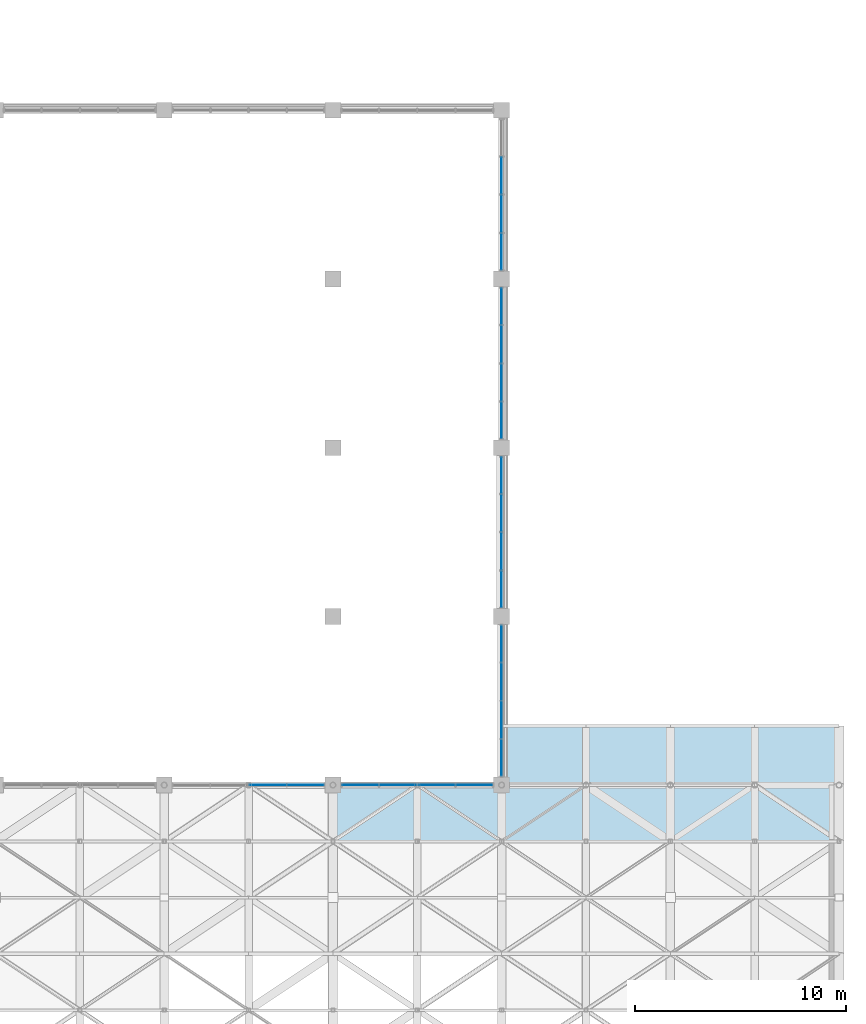
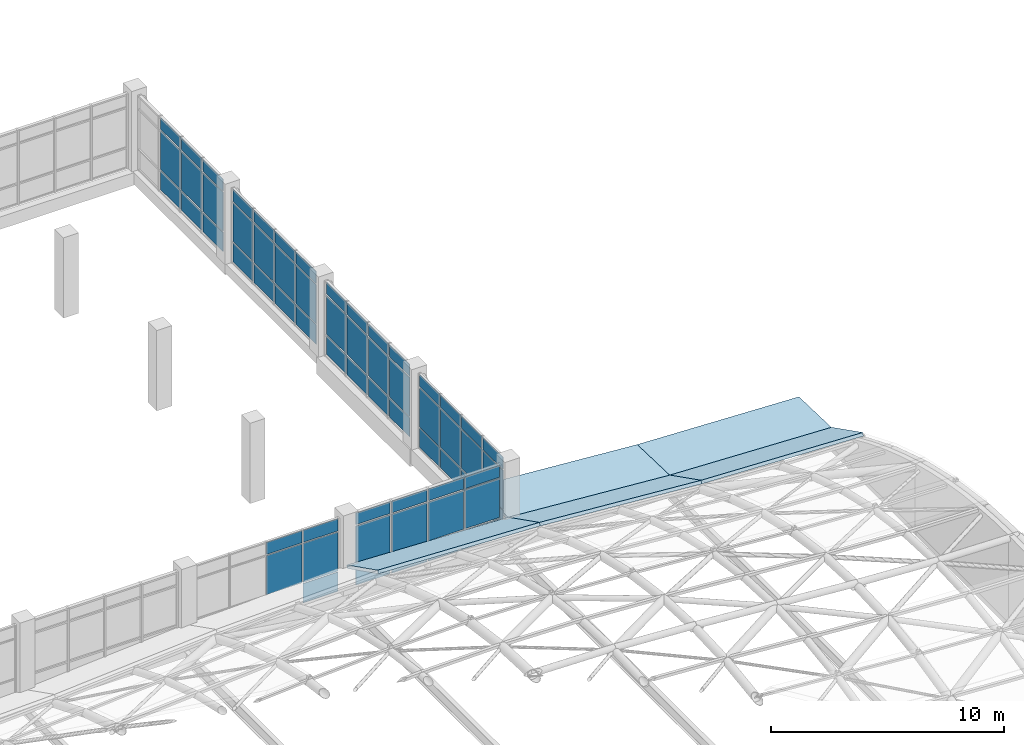
# One storey, part 59 of 72: 62 plates, 5 slabs, 6 elements without a shape of their own.
"""IFC4 building model written with IfcOpenShell, lengths in metres."""

from ifc_helpers import new_model, si_unit, direction, frame, origin, origin_2d, place, context, subcontext, project, spatial, polyline, rectangle, outline, extrude, material, layer, layer_set, type_object, element, aggregate, save


model = new_model("IFC4")

# Units and contexts
model_context = context("Model", 3, precision=1e-05, world=origin(), true_north=direction((0.0, 1.0)))
body_context = subcontext(model_context, "Body", "Model", "MODEL_VIEW")
ifc_project = project(units=[si_unit("LENGTHUNIT", "METRE"), si_unit("AREAUNIT", "SQUARE_METRE"), si_unit("VOLUMEUNIT", "CUBIC_METRE"), si_unit("PLANEANGLEUNIT", "RADIAN"), si_unit("MASSUNIT", "GRAM", prefix="KILO")], contexts=[model_context])

# Site, building, storey
site_placement = place(None, origin())
site = spatial("IfcSite", under=ifc_project, at=site_placement, CompositionType="ELEMENT")
building_placement = place(site_placement, origin())
building = spatial("IfcBuilding", under=site, at=building_placement, Name="Tenunan Teduh Sports Hall", CompositionType="ELEMENT")
storey_placement = place(building_placement, frame((0.0, 0.0, 15.0)))
storey = spatial("IfcBuildingStorey", under=building, at=storey_placement, Name="L03", CompositionType="ELEMENT", Elevation=15.0)

# Curtain wall, plates
ifc_material_1 = material(Name="Anodised aluminium", Category="aluminium")
curtain_wall_type_1 = type_object("IfcCurtainWallType", Name="CW-UNIT-2", PredefinedType="NOTDEFINED", material=ifc_material_1)
curtain_wall_1_placement = place(storey_placement, origin())
curtain_wall_1 = element("IfcCurtainWall", 1, at=curtain_wall_1_placement, inside=storey, type_object=curtain_wall_type_1, Name="CW-CWM-200-L03-148", PredefinedType="NOTDEFINED")
ifc_material_2 = material(Name="Low-E laminated double glazing", Category="glass")
ifc_layer_1 = layer(ifc_material_2, 0.028076171875)
ifc_layer_set_1 = layer_set([ifc_layer_1], Name="Low-E laminated double glazing")
plate_type_1 = type_object("IfcPlateType", Name="CWP-GLZ-28", PredefinedType="CURTAIN_PANEL", material=ifc_layer_set_1)
plate_1_placement = place(storey_placement, frame((154.0, 55.298828125, 1.134765625), z_axis=(0.0, 0.0, 1.0), x_axis=(0.0, 1.0, 0.0)))
plate_1 = element("IfcPlate", 2, at=plate_1_placement, type_object=plate_type_1, Name="CW-02 panel 1.2", PredefinedType="CURTAIN_PANEL", context=body_context, shape_type="SweptSolid", body=[
    extrude(rectangle(XDim=1.70751953125, YDim=0.028076171875, at=origin_2d()), origin(), (0.0, 0.0, 1.0), 2.030029296875),
])
plate_2_placement = place(storey_placement, frame((154.0, 55.298828125, 3.23486328125), z_axis=(0.0, 0.0, 1.0), x_axis=(0.0, 1.0, 0.0)))
plate_2 = element("IfcPlate", 3, at=plate_2_placement, type_object=plate_type_1, Name="CW-02 panel 1.3", PredefinedType="CURTAIN_PANEL", context=body_context, shape_type="SweptSolid", body=[
    extrude(rectangle(XDim=1.70751953125, YDim=0.028076171875, at=origin_2d()), origin(), (0.0, 0.0, 1.0), 0.614990234375),
])
plate_3_placement = place(storey_placement, frame((154.0, 57.09375, 1.134765625), z_axis=(0.0, 0.0, 1.0), x_axis=(0.0, 1.0, 0.0)))
plate_3 = element("IfcPlate", 4, at=plate_3_placement, type_object=plate_type_1, Name="CW-02 panel 2.2", PredefinedType="CURTAIN_PANEL", context=body_context, shape_type="SweptSolid", body=[
    extrude(rectangle(XDim=1.742431640625, YDim=0.028076171875, at=origin_2d()), origin(), (0.0, 0.0, 1.0), 2.030029296875),
])
plate_4_placement = place(storey_placement, frame((154.0, 57.09375, 3.23486328125), z_axis=(0.0, 0.0, 1.0), x_axis=(0.0, 1.0, 0.0)))
plate_4 = element("IfcPlate", 5, at=plate_4_placement, type_object=plate_type_1, Name="CW-02 panel 2.3", PredefinedType="CURTAIN_PANEL", context=body_context, shape_type="SweptSolid", body=[
    extrude(rectangle(XDim=1.742431640625, YDim=0.028076171875, at=origin_2d()), origin(), (0.0, 0.0, 1.0), 0.614990234375),
])
plate_5_placement = place(storey_placement, frame((154.0, 58.90625, 1.134765625), z_axis=(0.0, 0.0, 1.0), x_axis=(0.0, 1.0, 0.0)))
plate_5 = element("IfcPlate", 6, at=plate_5_placement, type_object=plate_type_1, Name="CW-02 panel 3.2", PredefinedType="CURTAIN_PANEL", context=body_context, shape_type="SweptSolid", body=[
    extrude(rectangle(XDim=1.742431640625, YDim=0.028076171875, at=origin_2d()), origin(), (0.0, 0.0, 1.0), 2.030029296875),
])
plate_6_placement = place(storey_placement, frame((154.0, 58.90625, 3.23486328125), z_axis=(0.0, 0.0, 1.0), x_axis=(0.0, 1.0, 0.0)))
plate_6 = element("IfcPlate", 7, at=plate_6_placement, type_object=plate_type_1, Name="CW-02 panel 3.3", PredefinedType="CURTAIN_PANEL", context=body_context, shape_type="SweptSolid", body=[
    extrude(rectangle(XDim=1.742431640625, YDim=0.028076171875, at=origin_2d()), origin(), (0.0, 0.0, 1.0), 0.614990234375),
])
plate_7_placement = place(storey_placement, frame((154.0, 60.701171875, 1.134765625), z_axis=(0.0, 0.0, 1.0), x_axis=(0.0, 1.0, 0.0)))
plate_7 = element("IfcPlate", 8, at=plate_7_placement, type_object=plate_type_1, Name="CW-02 panel 4.2", PredefinedType="CURTAIN_PANEL", context=body_context, shape_type="SweptSolid", body=[
    extrude(rectangle(XDim=1.70751953125, YDim=0.028076171875, at=origin_2d()), origin(), (0.0, 0.0, 1.0), 2.030029296875),
])
plate_8_placement = place(storey_placement, frame((154.0, 60.701171875, 3.23486328125), z_axis=(0.0, 0.0, 1.0), x_axis=(0.0, 1.0, 0.0)))
plate_8 = element("IfcPlate", 9, at=plate_8_placement, type_object=plate_type_1, Name="CW-02 panel 4.3", PredefinedType="CURTAIN_PANEL", context=body_context, shape_type="SweptSolid", body=[
    extrude(rectangle(XDim=1.70751953125, YDim=0.028076171875, at=origin_2d()), origin(), (0.0, 0.0, 1.0), 0.614990234375),
])

curtain_wall_2_placement = place(storey_placement, origin())
curtain_wall_2 = element("IfcCurtainWall", 10, at=curtain_wall_2_placement, inside=storey, type_object=curtain_wall_type_1, Name="CW-CWM-175-L03-150", PredefinedType="NOTDEFINED")
plate_9_placement = place(storey_placement, frame((154.0, 63.297607421875, 1.13232421875), z_axis=(0.0, 0.0, 1.0), x_axis=(0.0, 1.0, 0.0)))
plate_9 = element("IfcPlate", 11, at=plate_9_placement, type_object=plate_type_1, Name="CW-02 panel 1.2", PredefinedType="CURTAIN_PANEL", context=body_context, shape_type="SweptSolid", body=[
    extrude(rectangle(XDim=1.715087890625, YDim=0.028076171875, at=origin_2d()), origin(), (0.0, 0.0, 1.0), 2.034912109375),
])
plate_10_placement = place(storey_placement, frame((154.0, 63.297607421875, 3.232421875), z_axis=(0.0, 0.0, 1.0), x_axis=(0.0, 1.0, 0.0)))
plate_10 = element("IfcPlate", 12, at=plate_10_placement, type_object=plate_type_1, Name="CW-02 panel 1.3", PredefinedType="CURTAIN_PANEL", context=body_context, shape_type="SweptSolid", body=[
    extrude(rectangle(XDim=1.715087890625, YDim=0.028076171875, at=origin_2d()), origin(), (0.0, 0.0, 1.0), 0.62255859375),
])
plate_11_placement = place(storey_placement, frame((154.0, 65.09375, 1.13232421875), z_axis=(0.0, 0.0, 1.0), x_axis=(0.0, 1.0, 0.0)))
plate_11 = element("IfcPlate", 13, at=plate_11_placement, type_object=plate_type_1, Name="CW-02 panel 2.2", PredefinedType="CURTAIN_PANEL", context=body_context, shape_type="SweptSolid", body=[
    extrude(rectangle(XDim=1.74755859375, YDim=0.028076171875, at=origin_2d()), origin(), (0.0, 0.0, 1.0), 2.034912109375),
])
plate_12_placement = place(storey_placement, frame((154.0, 65.09375, 3.232421875), z_axis=(0.0, 0.0, 1.0), x_axis=(0.0, 1.0, 0.0)))
plate_12 = element("IfcPlate", 14, at=plate_12_placement, type_object=plate_type_1, Name="CW-02 panel 2.3", PredefinedType="CURTAIN_PANEL", context=body_context, shape_type="SweptSolid", body=[
    extrude(rectangle(XDim=1.74755859375, YDim=0.028076171875, at=origin_2d()), origin(), (0.0, 0.0, 1.0), 0.62255859375),
])
plate_13_placement = place(storey_placement, frame((154.0, 66.90625, 1.13232421875), z_axis=(0.0, 0.0, 1.0), x_axis=(0.0, 1.0, 0.0)))
plate_13 = element("IfcPlate", 15, at=plate_13_placement, type_object=plate_type_1, Name="CW-02 panel 3.2", PredefinedType="CURTAIN_PANEL", context=body_context, shape_type="SweptSolid", body=[
    extrude(rectangle(XDim=1.74755859375, YDim=0.028076171875, at=origin_2d()), origin(), (0.0, 0.0, 1.0), 2.034912109375),
])
plate_14_placement = place(storey_placement, frame((154.0, 66.90625, 3.232421875), z_axis=(0.0, 0.0, 1.0), x_axis=(0.0, 1.0, 0.0)))
plate_14 = element("IfcPlate", 16, at=plate_14_placement, type_object=plate_type_1, Name="CW-02 panel 3.3", PredefinedType="CURTAIN_PANEL", context=body_context, shape_type="SweptSolid", body=[
    extrude(rectangle(XDim=1.74755859375, YDim=0.028076171875, at=origin_2d()), origin(), (0.0, 0.0, 1.0), 0.62255859375),
])
plate_15_placement = place(storey_placement, frame((154.0, 68.702392578125, 1.13232421875), z_axis=(0.0, 0.0, 1.0), x_axis=(0.0, 1.0, 0.0)))
plate_15 = element("IfcPlate", 17, at=plate_15_placement, type_object=plate_type_1, Name="CW-02 panel 4.2", PredefinedType="CURTAIN_PANEL", context=body_context, shape_type="SweptSolid", body=[
    extrude(rectangle(XDim=1.715087890625, YDim=0.028076171875, at=origin_2d()), origin(), (0.0, 0.0, 1.0), 2.034912109375),
])
plate_16_placement = place(storey_placement, frame((154.0, 68.702392578125, 3.232421875), z_axis=(0.0, 0.0, 1.0), x_axis=(0.0, 1.0, 0.0)))
plate_16 = element("IfcPlate", 18, at=plate_16_placement, type_object=plate_type_1, Name="CW-02 panel 4.3", PredefinedType="CURTAIN_PANEL", context=body_context, shape_type="SweptSolid", body=[
    extrude(rectangle(XDim=1.715087890625, YDim=0.028076171875, at=origin_2d()), origin(), (0.0, 0.0, 1.0), 0.62255859375),
])

curtain_wall_3_placement = place(storey_placement, origin())
curtain_wall_3 = element("IfcCurtainWall", 19, at=curtain_wall_3_placement, inside=storey, type_object=curtain_wall_type_1, Name="CW-CWM-200-L03-152", PredefinedType="NOTDEFINED")
plate_17_placement = place(storey_placement, frame((154.0, 71.298828125, 1.134765625), z_axis=(0.0, 0.0, 1.0), x_axis=(0.0, 1.0, 0.0)))
plate_17 = element("IfcPlate", 20, at=plate_17_placement, type_object=plate_type_1, Name="CW-02 panel 1.2", PredefinedType="CURTAIN_PANEL", context=body_context, shape_type="SweptSolid", body=[
    extrude(rectangle(XDim=1.70751953125, YDim=0.028076171875, at=origin_2d()), origin(), (0.0, 0.0, 1.0), 2.030029296875),
])
plate_18_placement = place(storey_placement, frame((154.0, 71.298828125, 3.23486328125), z_axis=(0.0, 0.0, 1.0), x_axis=(0.0, 1.0, 0.0)))
plate_18 = element("IfcPlate", 21, at=plate_18_placement, type_object=plate_type_1, Name="CW-02 panel 1.3", PredefinedType="CURTAIN_PANEL", context=body_context, shape_type="SweptSolid", body=[
    extrude(rectangle(XDim=1.70751953125, YDim=0.028076171875, at=origin_2d()), origin(), (0.0, 0.0, 1.0), 0.614990234375),
])
plate_19_placement = place(storey_placement, frame((154.0, 73.09375, 1.134765625), z_axis=(0.0, 0.0, 1.0), x_axis=(0.0, 1.0, 0.0)))
plate_19 = element("IfcPlate", 22, at=plate_19_placement, type_object=plate_type_1, Name="CW-02 panel 2.2", PredefinedType="CURTAIN_PANEL", context=body_context, shape_type="SweptSolid", body=[
    extrude(rectangle(XDim=1.742431640625, YDim=0.028076171875, at=origin_2d()), origin(), (0.0, 0.0, 1.0), 2.030029296875),
])
plate_20_placement = place(storey_placement, frame((154.0, 73.09375, 3.23486328125), z_axis=(0.0, 0.0, 1.0), x_axis=(0.0, 1.0, 0.0)))
plate_20 = element("IfcPlate", 23, at=plate_20_placement, type_object=plate_type_1, Name="CW-02 panel 2.3", PredefinedType="CURTAIN_PANEL", context=body_context, shape_type="SweptSolid", body=[
    extrude(rectangle(XDim=1.742431640625, YDim=0.028076171875, at=origin_2d()), origin(), (0.0, 0.0, 1.0), 0.614990234375),
])
plate_21_placement = place(storey_placement, frame((154.0, 74.90625, 1.134765625), z_axis=(0.0, 0.0, 1.0), x_axis=(0.0, 1.0, 0.0)))
plate_21 = element("IfcPlate", 24, at=plate_21_placement, type_object=plate_type_1, Name="CW-02 panel 3.2", PredefinedType="CURTAIN_PANEL", context=body_context, shape_type="SweptSolid", body=[
    extrude(rectangle(XDim=1.742431640625, YDim=0.028076171875, at=origin_2d()), origin(), (0.0, 0.0, 1.0), 2.030029296875),
])
plate_22_placement = place(storey_placement, frame((154.0, 74.90625, 3.23486328125), z_axis=(0.0, 0.0, 1.0), x_axis=(0.0, 1.0, 0.0)))
plate_22 = element("IfcPlate", 25, at=plate_22_placement, type_object=plate_type_1, Name="CW-02 panel 3.3", PredefinedType="CURTAIN_PANEL", context=body_context, shape_type="SweptSolid", body=[
    extrude(rectangle(XDim=1.742431640625, YDim=0.028076171875, at=origin_2d()), origin(), (0.0, 0.0, 1.0), 0.614990234375),
])

ifc_material_3 = material(Name="Anodised aluminium", Category="aluminium")
curtain_wall_type_2 = type_object("IfcCurtainWallType", Name="CW-CLER-1", PredefinedType="NOTDEFINED", material=ifc_material_3)
curtain_wall_4_placement = place(storey_placement, origin())
curtain_wall_4 = element("IfcCurtainWall", 26, at=curtain_wall_4_placement, inside=storey, type_object=curtain_wall_type_2, Name="CW-CWM-150-L03-143", PredefinedType="NOTDEFINED")
ifc_material_4 = material(Name="Solar-control laminated glazing", Category="glass")
ifc_layer_2 = layer(ifc_material_4, 0.031982421875)
ifc_layer_set_2 = layer_set([ifc_layer_2], Name="Solar-control laminated glazing")
plate_type_2 = type_object("IfcPlateType", Name="CWP-GLZ-32", PredefinedType="CURTAIN_PANEL", material=ifc_layer_set_2)
plate_23_placement = place(storey_placement, frame((142.90625, 46.0, 1.1298828125), z_axis=(0.0, 0.0, 1.0), x_axis=(1.0, 0.0, 0.0)))
plate_23 = element("IfcPlate", 27, at=plate_23_placement, type_object=plate_type_2, Name="CW-03 panel 3.2", PredefinedType="CURTAIN_PANEL", context=body_context, shape_type="SweptSolid", body=[
    extrude(rectangle(XDim=1.75244140625, YDim=0.031982421875, at=origin_2d()), origin(), (0.0, 0.0, 1.0), 2.0400390625),
])
plate_24_placement = place(storey_placement, frame((142.90625, 46.0, 3.22998046875), z_axis=(0.0, 0.0, 1.0), x_axis=(1.0, 0.0, 0.0)))
plate_24 = element("IfcPlate", 28, at=plate_24_placement, type_object=plate_type_2, Name="CW-03 panel 3.3", PredefinedType="CURTAIN_PANEL", context=body_context, shape_type="SweptSolid", body=[
    extrude(rectangle(XDim=1.75244140625, YDim=0.031982421875, at=origin_2d()), origin(), (0.0, 0.0, 1.0), 0.6298828125),
])
plate_25_placement = place(storey_placement, frame((144.703857421875, 46.0, 1.1298828125), z_axis=(0.0, 0.0, 1.0), x_axis=(1.0, 0.0, 0.0)))
plate_25 = element("IfcPlate", 29, at=plate_25_placement, type_object=plate_type_2, Name="CW-03 panel 4.2", PredefinedType="CURTAIN_PANEL", context=body_context, shape_type="SweptSolid", body=[
    extrude(rectangle(XDim=1.722412109375, YDim=0.031982421875, at=origin_2d()), origin(), (0.0, 0.0, 1.0), 2.0400390625),
])
plate_26_placement = place(storey_placement, frame((144.703857421875, 46.0, 3.22998046875), z_axis=(0.0, 0.0, 1.0), x_axis=(1.0, 0.0, 0.0)))
plate_26 = element("IfcPlate", 30, at=plate_26_placement, type_object=plate_type_2, Name="CW-03 panel 4.3", PredefinedType="CURTAIN_PANEL", context=body_context, shape_type="SweptSolid", body=[
    extrude(rectangle(XDim=1.722412109375, YDim=0.031982421875, at=origin_2d()), origin(), (0.0, 0.0, 1.0), 0.6298828125),
])

curtain_wall_5_placement = place(storey_placement, origin())
curtain_wall_5 = element("IfcCurtainWall", 31, at=curtain_wall_5_placement, inside=storey, type_object=curtain_wall_type_2, Name="CW-CWM-220-L03-145", PredefinedType="NOTDEFINED")
plate_27_placement = place(storey_placement, frame((147.300048828125, 46.0, 1.137451171875), z_axis=(0.0, 0.0, 1.0), x_axis=(1.0, 0.0, 0.0)))
plate_27 = element("IfcPlate", 32, at=plate_27_placement, type_object=plate_type_2, Name="CW-03 panel 1.2", PredefinedType="CURTAIN_PANEL", context=body_context, shape_type="SweptSolid", body=[
    extrude(rectangle(XDim=1.699951171875, YDim=0.031982421875, at=origin_2d()), origin(), (0.0, 0.0, 1.0), 2.02490234375),
])
plate_28_placement = place(storey_placement, frame((147.300048828125, 46.0, 3.237548828125), z_axis=(0.0, 0.0, 1.0), x_axis=(1.0, 0.0, 0.0)))
plate_28 = element("IfcPlate", 33, at=plate_28_placement, type_object=plate_type_2, Name="CW-03 panel 1.3", PredefinedType="CURTAIN_PANEL", context=body_context, shape_type="SweptSolid", body=[
    extrude(rectangle(XDim=1.699951171875, YDim=0.031982421875, at=origin_2d()), origin(), (0.0, 0.0, 1.0), 0.607421875),
])
plate_29_placement = place(storey_placement, frame((149.09375, 46.0, 1.137451171875), z_axis=(0.0, 0.0, 1.0), x_axis=(1.0, 0.0, 0.0)))
plate_29 = element("IfcPlate", 34, at=plate_29_placement, type_object=plate_type_2, Name="CW-03 panel 2.2", PredefinedType="CURTAIN_PANEL", context=body_context, shape_type="SweptSolid", body=[
    extrude(rectangle(XDim=1.737548828125, YDim=0.031982421875, at=origin_2d()), origin(), (0.0, 0.0, 1.0), 2.02490234375),
])
plate_30_placement = place(storey_placement, frame((149.09375, 46.0, 3.237548828125), z_axis=(0.0, 0.0, 1.0), x_axis=(1.0, 0.0, 0.0)))
plate_30 = element("IfcPlate", 35, at=plate_30_placement, type_object=plate_type_2, Name="CW-03 panel 2.3", PredefinedType="CURTAIN_PANEL", context=body_context, shape_type="SweptSolid", body=[
    extrude(rectangle(XDim=1.737548828125, YDim=0.031982421875, at=origin_2d()), origin(), (0.0, 0.0, 1.0), 0.607421875),
])
plate_31_placement = place(storey_placement, frame((150.90625, 46.0, 1.137451171875), z_axis=(0.0, 0.0, 1.0), x_axis=(1.0, 0.0, 0.0)))
plate_31 = element("IfcPlate", 36, at=plate_31_placement, type_object=plate_type_2, Name="CW-03 panel 3.2", PredefinedType="CURTAIN_PANEL", context=body_context, shape_type="SweptSolid", body=[
    extrude(rectangle(XDim=1.737548828125, YDim=0.031982421875, at=origin_2d()), origin(), (0.0, 0.0, 1.0), 2.02490234375),
])
plate_32_placement = place(storey_placement, frame((150.90625, 46.0, 3.237548828125), z_axis=(0.0, 0.0, 1.0), x_axis=(1.0, 0.0, 0.0)))
plate_32 = element("IfcPlate", 37, at=plate_32_placement, type_object=plate_type_2, Name="CW-03 panel 3.3", PredefinedType="CURTAIN_PANEL", context=body_context, shape_type="SweptSolid", body=[
    extrude(rectangle(XDim=1.737548828125, YDim=0.031982421875, at=origin_2d()), origin(), (0.0, 0.0, 1.0), 0.607421875),
])
plate_33_placement = place(storey_placement, frame((152.699951171875, 46.0, 1.137451171875), z_axis=(0.0, 0.0, 1.0), x_axis=(1.0, 0.0, 0.0)))
plate_33 = element("IfcPlate", 38, at=plate_33_placement, type_object=plate_type_2, Name="CW-03 panel 4.2", PredefinedType="CURTAIN_PANEL", context=body_context, shape_type="SweptSolid", body=[
    extrude(rectangle(XDim=1.699951171875, YDim=0.031982421875, at=origin_2d()), origin(), (0.0, 0.0, 1.0), 2.02490234375),
])
plate_34_placement = place(storey_placement, frame((152.699951171875, 46.0, 3.237548828125), z_axis=(0.0, 0.0, 1.0), x_axis=(1.0, 0.0, 0.0)))
plate_34 = element("IfcPlate", 39, at=plate_34_placement, type_object=plate_type_2, Name="CW-03 panel 4.3", PredefinedType="CURTAIN_PANEL", context=body_context, shape_type="SweptSolid", body=[
    extrude(rectangle(XDim=1.699951171875, YDim=0.031982421875, at=origin_2d()), origin(), (0.0, 0.0, 1.0), 0.607421875),
])

curtain_wall_6_placement = place(storey_placement, origin())
curtain_wall_6 = element("IfcCurtainWall", 40, at=curtain_wall_6_placement, inside=storey, type_object=curtain_wall_type_1, Name="CW-CWM-150-L03-147", PredefinedType="NOTDEFINED")
plate_35_placement = place(storey_placement, frame((154.0, 47.296142578125, 1.1298828125), z_axis=(0.0, 0.0, 1.0), x_axis=(0.0, 1.0, 0.0)))
plate_35 = element("IfcPlate", 41, at=plate_35_placement, type_object=plate_type_2, Name="CW-02 panel 1.2", PredefinedType="CURTAIN_PANEL", context=body_context, shape_type="SweptSolid", body=[
    extrude(rectangle(XDim=1.722412109375, YDim=0.031982421875, at=origin_2d()), origin(), (0.0, 0.0, 1.0), 2.0400390625),
])
plate_36_placement = place(storey_placement, frame((154.0, 47.296142578125, 3.22998046875), z_axis=(0.0, 0.0, 1.0), x_axis=(0.0, 1.0, 0.0)))
plate_36 = element("IfcPlate", 42, at=plate_36_placement, type_object=plate_type_2, Name="CW-02 panel 1.3", PredefinedType="CURTAIN_PANEL", context=body_context, shape_type="SweptSolid", body=[
    extrude(rectangle(XDim=1.722412109375, YDim=0.031982421875, at=origin_2d()), origin(), (0.0, 0.0, 1.0), 0.6298828125),
])
plate_37_placement = place(storey_placement, frame((154.0, 49.09375, 1.1298828125), z_axis=(0.0, 0.0, 1.0), x_axis=(0.0, 1.0, 0.0)))
plate_37 = element("IfcPlate", 43, at=plate_37_placement, type_object=plate_type_2, Name="CW-02 panel 2.2", PredefinedType="CURTAIN_PANEL", context=body_context, shape_type="SweptSolid", body=[
    extrude(rectangle(XDim=1.75244140625, YDim=0.031982421875, at=origin_2d()), origin(), (0.0, 0.0, 1.0), 2.0400390625),
])
plate_38_placement = place(storey_placement, frame((154.0, 49.09375, 3.22998046875), z_axis=(0.0, 0.0, 1.0), x_axis=(0.0, 1.0, 0.0)))
plate_38 = element("IfcPlate", 44, at=plate_38_placement, type_object=plate_type_2, Name="CW-02 panel 2.3", PredefinedType="CURTAIN_PANEL", context=body_context, shape_type="SweptSolid", body=[
    extrude(rectangle(XDim=1.75244140625, YDim=0.031982421875, at=origin_2d()), origin(), (0.0, 0.0, 1.0), 0.6298828125),
])
plate_39_placement = place(storey_placement, frame((154.0, 50.90625, 1.1298828125), z_axis=(0.0, 0.0, 1.0), x_axis=(0.0, 1.0, 0.0)))
plate_39 = element("IfcPlate", 45, at=plate_39_placement, type_object=plate_type_2, Name="CW-02 panel 3.2", PredefinedType="CURTAIN_PANEL", context=body_context, shape_type="SweptSolid", body=[
    extrude(rectangle(XDim=1.75244140625, YDim=0.031982421875, at=origin_2d()), origin(), (0.0, 0.0, 1.0), 2.0400390625),
])
plate_40_placement = place(storey_placement, frame((154.0, 50.90625, 3.22998046875), z_axis=(0.0, 0.0, 1.0), x_axis=(0.0, 1.0, 0.0)))
plate_40 = element("IfcPlate", 46, at=plate_40_placement, type_object=plate_type_2, Name="CW-02 panel 3.3", PredefinedType="CURTAIN_PANEL", context=body_context, shape_type="SweptSolid", body=[
    extrude(rectangle(XDim=1.75244140625, YDim=0.031982421875, at=origin_2d()), origin(), (0.0, 0.0, 1.0), 0.6298828125),
])
plate_41_placement = place(storey_placement, frame((154.0, 52.703857421875, 1.1298828125), z_axis=(0.0, 0.0, 1.0), x_axis=(0.0, 1.0, 0.0)))
plate_41 = element("IfcPlate", 47, at=plate_41_placement, type_object=plate_type_2, Name="CW-02 panel 4.2", PredefinedType="CURTAIN_PANEL", context=body_context, shape_type="SweptSolid", body=[
    extrude(rectangle(XDim=1.722412109375, YDim=0.031982421875, at=origin_2d()), origin(), (0.0, 0.0, 1.0), 2.0400390625),
])
plate_42_placement = place(storey_placement, frame((154.0, 52.703857421875, 3.22998046875), z_axis=(0.0, 0.0, 1.0), x_axis=(0.0, 1.0, 0.0)))
plate_42 = element("IfcPlate", 48, at=plate_42_placement, type_object=plate_type_2, Name="CW-02 panel 4.3", PredefinedType="CURTAIN_PANEL", context=body_context, shape_type="SweptSolid", body=[
    extrude(rectangle(XDim=1.722412109375, YDim=0.031982421875, at=origin_2d()), origin(), (0.0, 0.0, 1.0), 0.6298828125),
])

# Plate
ifc_material_5 = material(Name="Insulated aluminium spandrel panel", Category="aluminium")
ifc_layer_3 = layer(ifc_material_5, 0.044921875)
ifc_layer_set_3 = layer_set([ifc_layer_3], Name="Insulated aluminium spandrel panel")
plate_type_3 = type_object("IfcPlateType", Name="CWP-SPN-45", PredefinedType="CURTAIN_PANEL", material=ifc_layer_set_3)
plate_43_placement = place(storey_placement, frame((144.703857421875, 46.0, 0.06005859375), z_axis=(0.0, 0.0, 1.0), x_axis=(1.0, 0.0, 0.0)))
plate_43 = element("IfcPlate", 49, at=plate_43_placement, type_object=plate_type_3, Name="CW-03 panel 4.1", PredefinedType="CURTAIN_PANEL", context=body_context, shape_type="SweptSolid", body=[
    extrude(rectangle(XDim=1.722412109375, YDim=0.031982421875, at=origin_2d()), origin(), (0.0, 0.0, 1.0), 1.010009765625),
])

aggregate(curtain_wall_4, [plate_23, plate_24, plate_43, plate_25, plate_26])

plate_44_placement = place(storey_placement, frame((147.300048828125, 46.0, 0.0751953125), z_axis=(0.0, 0.0, 1.0), x_axis=(1.0, 0.0, 0.0)))
plate_44 = element("IfcPlate", 50, at=plate_44_placement, type_object=plate_type_3, Name="CW-03 panel 1.1", PredefinedType="CURTAIN_PANEL", context=body_context, shape_type="SweptSolid", body=[
    extrude(rectangle(XDim=1.699951171875, YDim=0.031982421875, at=origin_2d()), origin(), (0.0, 0.0, 1.0), 0.987548828125),
])

plate_45_placement = place(storey_placement, frame((149.09375, 46.0, 0.0751953125), z_axis=(0.0, 0.0, 1.0), x_axis=(1.0, 0.0, 0.0)))
plate_45 = element("IfcPlate", 51, at=plate_45_placement, type_object=plate_type_3, Name="CW-03 panel 2.1", PredefinedType="CURTAIN_PANEL", context=body_context, shape_type="SweptSolid", body=[
    extrude(rectangle(XDim=1.737548828125, YDim=0.031982421875, at=origin_2d()), origin(), (0.0, 0.0, 1.0), 0.987548828125),
])

plate_46_placement = place(storey_placement, frame((150.90625, 46.0, 0.0751953125), z_axis=(0.0, 0.0, 1.0), x_axis=(1.0, 0.0, 0.0)))
plate_46 = element("IfcPlate", 52, at=plate_46_placement, type_object=plate_type_3, Name="CW-03 panel 3.1", PredefinedType="CURTAIN_PANEL", context=body_context, shape_type="SweptSolid", body=[
    extrude(rectangle(XDim=1.737548828125, YDim=0.031982421875, at=origin_2d()), origin(), (0.0, 0.0, 1.0), 0.987548828125),
])

plate_47_placement = place(storey_placement, frame((152.699951171875, 46.0, 0.0751953125), z_axis=(0.0, 0.0, 1.0), x_axis=(1.0, 0.0, 0.0)))
plate_47 = element("IfcPlate", 53, at=plate_47_placement, type_object=plate_type_3, Name="CW-03 panel 4.1", PredefinedType="CURTAIN_PANEL", context=body_context, shape_type="SweptSolid", body=[
    extrude(rectangle(XDim=1.699951171875, YDim=0.031982421875, at=origin_2d()), origin(), (0.0, 0.0, 1.0), 0.987548828125),
])

aggregate(curtain_wall_5, [plate_44, plate_27, plate_28, plate_45, plate_29, plate_30, plate_46, plate_31, plate_32, plate_47, plate_33, plate_34])

plate_48_placement = place(storey_placement, frame((154.0, 47.296142578125, 0.06005859375), z_axis=(0.0, 0.0, 1.0), x_axis=(0.0, 1.0, 0.0)))
plate_48 = element("IfcPlate", 54, at=plate_48_placement, type_object=plate_type_3, Name="CW-02 panel 1.1", PredefinedType="CURTAIN_PANEL", context=body_context, shape_type="SweptSolid", body=[
    extrude(rectangle(XDim=1.722412109375, YDim=0.031982421875, at=origin_2d()), origin(), (0.0, 0.0, 1.0), 1.010009765625),
])

plate_49_placement = place(storey_placement, frame((154.0, 49.09375, 0.06005859375), z_axis=(0.0, 0.0, 1.0), x_axis=(0.0, 1.0, 0.0)))
plate_49 = element("IfcPlate", 55, at=plate_49_placement, type_object=plate_type_3, Name="CW-02 panel 2.1", PredefinedType="CURTAIN_PANEL", context=body_context, shape_type="SweptSolid", body=[
    extrude(rectangle(XDim=1.75244140625, YDim=0.031982421875, at=origin_2d()), origin(), (0.0, 0.0, 1.0), 1.010009765625),
])

plate_50_placement = place(storey_placement, frame((154.0, 50.90625, 0.06005859375), z_axis=(0.0, 0.0, 1.0), x_axis=(0.0, 1.0, 0.0)))
plate_50 = element("IfcPlate", 56, at=plate_50_placement, type_object=plate_type_3, Name="CW-02 panel 3.1", PredefinedType="CURTAIN_PANEL", context=body_context, shape_type="SweptSolid", body=[
    extrude(rectangle(XDim=1.75244140625, YDim=0.031982421875, at=origin_2d()), origin(), (0.0, 0.0, 1.0), 1.010009765625),
])

plate_51_placement = place(storey_placement, frame((154.0, 52.703857421875, 0.06005859375), z_axis=(0.0, 0.0, 1.0), x_axis=(0.0, 1.0, 0.0)))
plate_51 = element("IfcPlate", 57, at=plate_51_placement, type_object=plate_type_3, Name="CW-02 panel 4.1", PredefinedType="CURTAIN_PANEL", context=body_context, shape_type="SweptSolid", body=[
    extrude(rectangle(XDim=1.722412109375, YDim=0.031982421875, at=origin_2d()), origin(), (0.0, 0.0, 1.0), 1.010009765625),
])

aggregate(curtain_wall_6, [plate_48, plate_35, plate_36, plate_49, plate_37, plate_38, plate_50, plate_39, plate_40, plate_51, plate_41, plate_42])

plate_52_placement = place(storey_placement, frame((154.0, 55.298828125, 0.06982421875), z_axis=(0.0, 0.0, 1.0), x_axis=(0.0, 1.0, 0.0)))
plate_52 = element("IfcPlate", 58, at=plate_52_placement, type_object=plate_type_3, Name="CW-02 panel 1.1", PredefinedType="CURTAIN_PANEL", context=body_context, shape_type="SweptSolid", body=[
    extrude(rectangle(XDim=1.70751953125, YDim=0.028076171875, at=origin_2d()), origin(), (0.0, 0.0, 1.0), 0.9951171875),
])

plate_53_placement = place(storey_placement, frame((154.0, 57.09375, 0.06982421875), z_axis=(0.0, 0.0, 1.0), x_axis=(0.0, 1.0, 0.0)))
plate_53 = element("IfcPlate", 59, at=plate_53_placement, type_object=plate_type_3, Name="CW-02 panel 2.1", PredefinedType="CURTAIN_PANEL", context=body_context, shape_type="SweptSolid", body=[
    extrude(rectangle(XDim=1.742431640625, YDim=0.028076171875, at=origin_2d()), origin(), (0.0, 0.0, 1.0), 0.9951171875),
])

plate_54_placement = place(storey_placement, frame((154.0, 58.90625, 0.06982421875), z_axis=(0.0, 0.0, 1.0), x_axis=(0.0, 1.0, 0.0)))
plate_54 = element("IfcPlate", 60, at=plate_54_placement, type_object=plate_type_3, Name="CW-02 panel 3.1", PredefinedType="CURTAIN_PANEL", context=body_context, shape_type="SweptSolid", body=[
    extrude(rectangle(XDim=1.742431640625, YDim=0.028076171875, at=origin_2d()), origin(), (0.0, 0.0, 1.0), 0.9951171875),
])

plate_55_placement = place(storey_placement, frame((154.0, 60.701171875, 0.06982421875), z_axis=(0.0, 0.0, 1.0), x_axis=(0.0, 1.0, 0.0)))
plate_55 = element("IfcPlate", 61, at=plate_55_placement, type_object=plate_type_3, Name="CW-02 panel 4.1", PredefinedType="CURTAIN_PANEL", context=body_context, shape_type="SweptSolid", body=[
    extrude(rectangle(XDim=1.70751953125, YDim=0.028076171875, at=origin_2d()), origin(), (0.0, 0.0, 1.0), 0.9951171875),
])

aggregate(curtain_wall_1, [plate_52, plate_1, plate_2, plate_53, plate_3, plate_4, plate_54, plate_5, plate_6, plate_55, plate_7, plate_8])

plate_56_placement = place(storey_placement, frame((154.0, 63.297607421875, 0.06494140625), z_axis=(0.0, 0.0, 1.0), x_axis=(0.0, 1.0, 0.0)))
plate_56 = element("IfcPlate", 62, at=plate_56_placement, type_object=plate_type_3, Name="CW-02 panel 1.1", PredefinedType="CURTAIN_PANEL", context=body_context, shape_type="SweptSolid", body=[
    extrude(rectangle(XDim=1.715087890625, YDim=0.028076171875, at=origin_2d()), origin(), (0.0, 0.0, 1.0), 1.00244140625),
])

plate_57_placement = place(storey_placement, frame((154.0, 65.09375, 0.06494140625), z_axis=(0.0, 0.0, 1.0), x_axis=(0.0, 1.0, 0.0)))
plate_57 = element("IfcPlate", 63, at=plate_57_placement, type_object=plate_type_3, Name="CW-02 panel 2.1", PredefinedType="CURTAIN_PANEL", context=body_context, shape_type="SweptSolid", body=[
    extrude(rectangle(XDim=1.74755859375, YDim=0.028076171875, at=origin_2d()), origin(), (0.0, 0.0, 1.0), 1.00244140625),
])

plate_58_placement = place(storey_placement, frame((154.0, 66.90625, 0.06494140625), z_axis=(0.0, 0.0, 1.0), x_axis=(0.0, 1.0, 0.0)))
plate_58 = element("IfcPlate", 64, at=plate_58_placement, type_object=plate_type_3, Name="CW-02 panel 3.1", PredefinedType="CURTAIN_PANEL", context=body_context, shape_type="SweptSolid", body=[
    extrude(rectangle(XDim=1.74755859375, YDim=0.028076171875, at=origin_2d()), origin(), (0.0, 0.0, 1.0), 1.00244140625),
])

plate_59_placement = place(storey_placement, frame((154.0, 68.702392578125, 0.06494140625), z_axis=(0.0, 0.0, 1.0), x_axis=(0.0, 1.0, 0.0)))
plate_59 = element("IfcPlate", 65, at=plate_59_placement, type_object=plate_type_3, Name="CW-02 panel 4.1", PredefinedType="CURTAIN_PANEL", context=body_context, shape_type="SweptSolid", body=[
    extrude(rectangle(XDim=1.715087890625, YDim=0.028076171875, at=origin_2d()), origin(), (0.0, 0.0, 1.0), 1.00244140625),
])

aggregate(curtain_wall_2, [plate_56, plate_9, plate_10, plate_57, plate_11, plate_12, plate_58, plate_13, plate_14, plate_59, plate_15, plate_16])

plate_60_placement = place(storey_placement, frame((154.0, 71.298828125, 0.06982421875), z_axis=(0.0, 0.0, 1.0), x_axis=(0.0, 1.0, 0.0)))
plate_60 = element("IfcPlate", 66, at=plate_60_placement, type_object=plate_type_3, Name="CW-02 panel 1.1", PredefinedType="CURTAIN_PANEL", context=body_context, shape_type="SweptSolid", body=[
    extrude(rectangle(XDim=1.70751953125, YDim=0.028076171875, at=origin_2d()), origin(), (0.0, 0.0, 1.0), 0.9951171875),
])

plate_61_placement = place(storey_placement, frame((154.0, 73.09375, 0.06982421875), z_axis=(0.0, 0.0, 1.0), x_axis=(0.0, 1.0, 0.0)))
plate_61 = element("IfcPlate", 67, at=plate_61_placement, type_object=plate_type_3, Name="CW-02 panel 2.1", PredefinedType="CURTAIN_PANEL", context=body_context, shape_type="SweptSolid", body=[
    extrude(rectangle(XDim=1.742431640625, YDim=0.028076171875, at=origin_2d()), origin(), (0.0, 0.0, 1.0), 0.9951171875),
])

plate_62_placement = place(storey_placement, frame((154.0, 74.90625, 0.06982421875), z_axis=(0.0, 0.0, 1.0), x_axis=(0.0, 1.0, 0.0)))
plate_62 = element("IfcPlate", 68, at=plate_62_placement, type_object=plate_type_3, Name="CW-02 panel 3.1", PredefinedType="CURTAIN_PANEL", context=body_context, shape_type="SweptSolid", body=[
    extrude(rectangle(XDim=1.742431640625, YDim=0.028076171875, at=origin_2d()), origin(), (0.0, 0.0, 1.0), 0.9951171875),
])

aggregate(curtain_wall_3, [plate_60, plate_17, plate_18, plate_61, plate_19, plate_20, plate_62, plate_21, plate_22])

# Slabs
ifc_material_6 = material(Name="Concrete C40/50", Category="concrete")
ifc_layer_4 = layer(ifc_material_6, 0.14501953125)
ifc_layer_set_4 = layer_set([ifc_layer_4], Name="Concrete C40/50")
slab_type_1 = type_object("IfcSlabType", Name="SLB-ROOF-145", PredefinedType="ROOF", material=ifc_layer_set_4)
slab_1_placement = place(storey_placement, frame((154.0, 46.0, 0.968994140625), z_axis=(0.074509831433, 0.030635123865, 0.996749604568), x_axis=(0.997217665256, -4.6464e-07, -0.074544806003)))
element("IfcSlab", 69, at=slab_1_placement, inside=storey, type_object=slab_type_1, Name="Doubly-Curved Gridshell Roof Facet V1-5-14", PredefinedType="ROOF", context=body_context, shape_type="SweptSolid", body=[
    extrude(outline(polyline([(0.0, 0.0), (8.022311690672774, 6.938893903907228e-18), (8.028734783340536, 2.8013674239808553), (0.006404893252231337, 2.8013599655039716), (0.0, 0.0)])), origin(), (0.0, 0.0, -1.0), 0.14501953125),
])
slab_2_placement = place(storey_placement, frame((162.0, 46.0, 0.37109375), z_axis=(0.037583790971, 0.030742316898, 0.998820488681), x_axis=(0.999292811149, 0.0, -0.037601563603)))
element("IfcSlab", 70, at=slab_2_placement, inside=storey, type_object=slab_type_1, Name="Doubly-Curved Gridshell Roof Facet V1-6-14", PredefinedType="ROOF", context=body_context, shape_type="SweptSolid", body=[
    extrude(outline(polyline([(0.0, 0.0), (8.00566151456586, 0.0), (8.008902079007242, 2.801372915876625), (0.0032405644413821878, 2.8013729158766254), (0.0, 0.0)])), origin(), (0.0, 0.0, -1.0), 0.14501953125),
])
ifc_material_7 = material(Name="Concrete C40/50", Category="concrete")
ifc_layer_5 = layer(ifc_material_7, 0.159912109375)
ifc_layer_set_5 = layer_set([ifc_layer_5], Name="Concrete C40/50")
slab_type_2 = type_object("IfcSlabType", Name="SLB-ROOF-160", PredefinedType="ROOF", material=ifc_layer_set_5)
slab_3_placement = place(storey_placement, frame((146.0, 43.3330078125, 2.62890625), z_axis=(0.033583632841, 0.449769667741, 0.892512961018), x_axis=(0.999292811149, 0.0, -0.037601563603)))
element("IfcSlab", 71, at=slab_3_placement, inside=storey, type_object=slab_type_2, Name="Doubly-Curved Gridshell Roof Facet V1-4-13", PredefinedType="ROOF", context=body_context, shape_type="SweptSolid", body=[
    extrude(outline(polyline([(0.0, 0.0), (8.00566151456586, 0.0), (8.056197795726792, 2.986069935970488), (0.05053628116093186, 2.986069935970488), (0.0, 0.0)])), origin(), (0.0, 0.0, -1.0), 0.159912109375),
])
slab_4_placement = place(storey_placement, frame((154.0, 43.3330078125, 2.327880859375), z_axis=(0.066593724034, 0.449024547345, 0.891034360617), x_axis=(0.997218795223, 0.0, -0.0745296884)))
element("IfcSlab", 72, at=slab_4_placement, inside=storey, type_object=slab_type_2, Name="Doubly-Curved Gridshell Roof Facet V1-5-13", PredefinedType="ROOF", context=body_context, shape_type="SweptSolid", body=[
    extrude(outline(polyline([(0.0, 0.0), (8.02231169159548, 0.0), (8.122479156108142, 2.9848172569310627), (0.10016746451266137, 2.9848172569310627), (0.0, 0.0)])), origin(), (0.0, 0.0, -1.0), 0.159912109375),
])
slab_5_placement = place(storey_placement, frame((162.0, 43.3330078125, 1.72998046875), z_axis=(0.033479725528, 0.449510555599, 0.892647393086), x_axis=(0.999297387291, 0.0, -0.037479751251)))
element("IfcSlab", 73, at=slab_5_placement, inside=storey, type_object=slab_type_2, Name="Doubly-Curved Gridshell Roof Facet V1-6-13", PredefinedType="ROOF", context=body_context, shape_type="SweptSolid", body=[
    extrude(outline(polyline([(0.0, 0.0), (8.005624853767456, 2.7755575615628914e-17), (8.055960818520793, 2.9856339082330785), (0.05033596475333758, 2.9856339082330785), (0.0, 0.0)])), origin(), (0.0, 0.0, -1.0), 0.159912109375),
])

save(model, "model.ifc")
